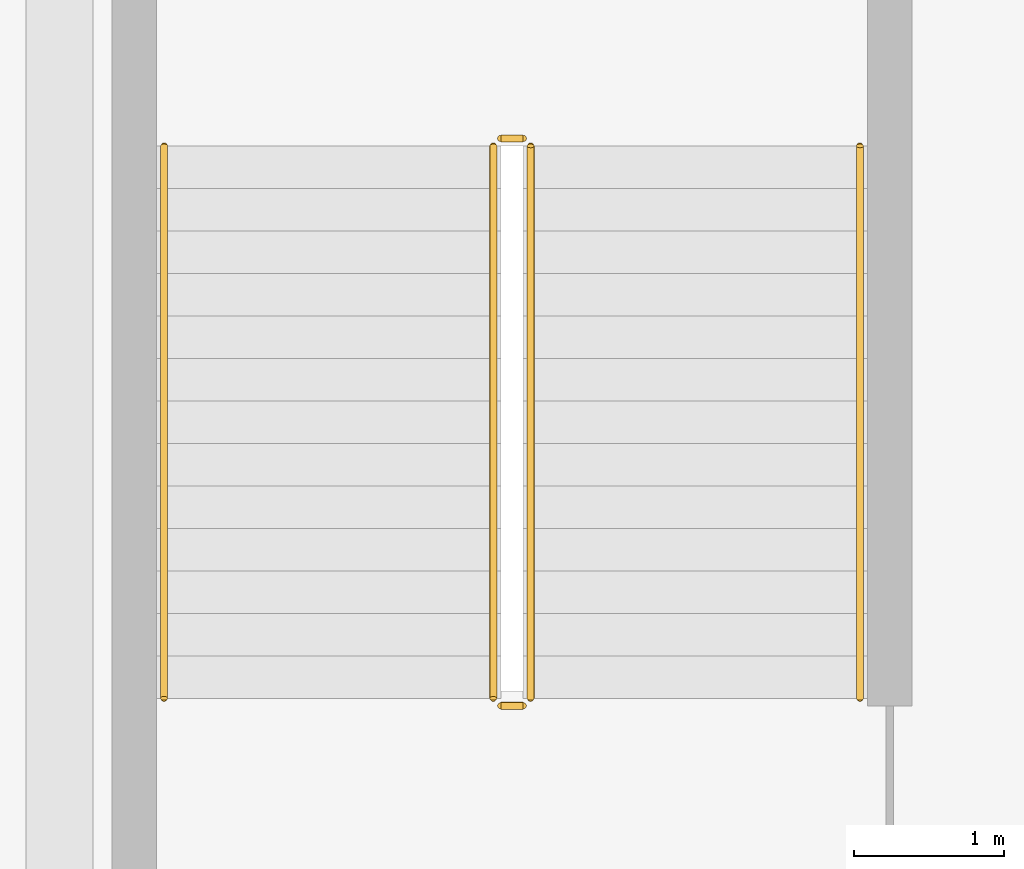
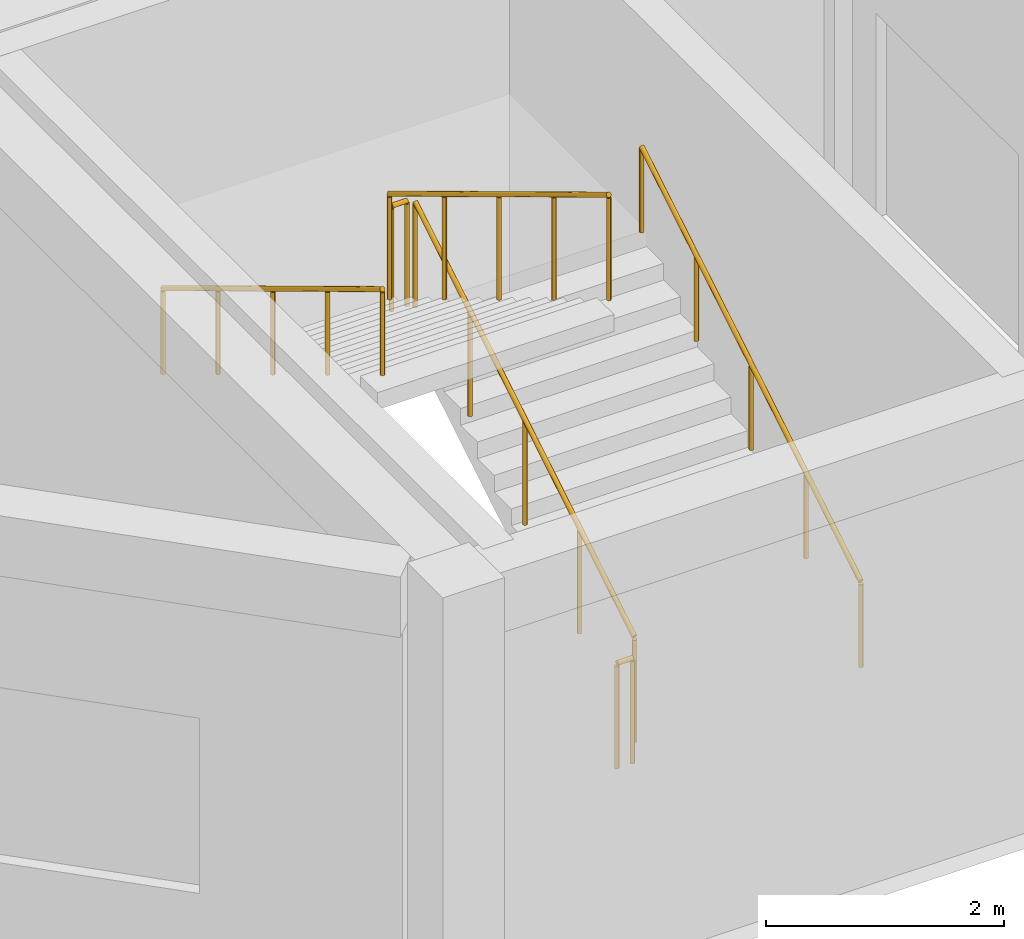
# One storey, part 22 of 26: 6 railings.
"""IFC4 building model written with IfcOpenShell, lengths in metres."""

from ifc_helpers import new_model, si_unit, direction, frame, origin, origin_2d, place, context, subcontext, project, spatial, circle, extrude, material, type_object, element, save


model = new_model("IFC4")

# Units and contexts
model_context = context("Model", 3, precision=1e-05, world=origin(), true_north=direction((0.0, 1.0)))
body_context = subcontext(model_context, "Body", "Model", "MODEL_VIEW")
ifc_project = project(units=[si_unit("LENGTHUNIT", "METRE"), si_unit("AREAUNIT", "SQUARE_METRE"), si_unit("VOLUMEUNIT", "CUBIC_METRE"), si_unit("PLANEANGLEUNIT", "RADIAN"), si_unit("MASSUNIT", "GRAM", prefix="KILO")], contexts=[model_context])

# Site, building, storey
site_placement = place(None, origin())
site = spatial("IfcSite", under=ifc_project, at=site_placement, CompositionType="ELEMENT")
building_placement = place(site_placement, origin())
building = spatial("IfcBuilding", under=site, at=building_placement, Name="Dhurran Vertical Campus", CompositionType="ELEMENT")
storey_placement = place(building_placement, frame((0.0, 0.0, 15.60009765625)))
storey = spatial("IfcBuildingStorey", under=building, at=storey_placement, Name="L03", CompositionType="ELEMENT", Elevation=15.60009765625)

# Railings
ifc_material_1 = material(Name="Steel S355J2H", Category="steel")
railing_type_1 = type_object("IfcRailingType", Name="hl-stair guard 1100", PredefinedType="GUARDRAIL", material=ifc_material_1)
railing_1_placement = place(storey_placement, frame((73.64990234375, -24.550048828125, 0.17138671875)))
element("IfcRailing", 1, at=railing_1_placement, inside=storey, type_object=railing_type_1, Name="L03 HST1 stair guard 1", PredefinedType="GUARDRAIL", context=body_context, shape_type="SweptSolid", body=[
    extrude(circle(Radius=0.02392578125, at=origin_2d()), frame((0.0, 0.0, 1.076171875), z_axis=(0.0, 0.85613627591, 0.516750110858), x_axis=(-1.0, 0.0, 0.0)), (0.0, 0.0, 1.0), 4.3125),
    extrude(circle(Radius=0.02099609375, at=origin_2d()), origin(), (0.0, 0.0, 1.0), 1.052001953125),
    extrude(circle(Radius=0.02099609375, at=origin_2d()), frame((0.0, 0.923095703125, 0.55712890625)), (0.0, 0.0, 1.0), 1.052001953125),
    extrude(circle(Radius=0.02099609375, at=origin_2d()), frame((0.0, 1.84619140625, 1.1142578125)), (0.0, 0.0, 1.0), 1.052001953125),
    extrude(circle(Radius=0.02099609375, at=origin_2d()), frame((0.0, 2.76904296875, 1.67138671875)), (0.0, 0.0, 1.0), 1.052001953125),
    extrude(circle(Radius=0.02099609375, at=origin_2d()), frame((0.0, 3.692138671875, 2.228515625)), (0.0, 0.0, 1.0), 1.052001953125),
])
railing_2_placement = place(storey_placement, frame((73.60009765625, -20.80810546875, 2.39990234375)))
element("IfcRailing", 2, at=railing_2_placement, inside=storey, type_object=railing_type_1, Name="L03 HST1 stair guard 2", PredefinedType="GUARDRAIL", context=body_context, shape_type="SweptSolid", body=[
    extrude(circle(Radius=0.02392578125, at=origin_2d()), frame((0.0, 0.0, 1.076171875), z_axis=(-1.0, 0.0, 0.0), x_axis=(0.0, -1.0, 0.0)), (0.0, 0.0, 1.0), 0.150146484375),
    extrude(circle(Radius=0.02099609375, at=origin_2d()), origin(), (0.0, 0.0, 1.0), 1.052001953125),
    extrude(circle(Radius=0.02099609375, at=origin_2d()), frame((-0.150146484375, 0.0, 0.0)), (0.0, 0.0, 1.0), 1.052001953125),
])
railing_3_placement = place(storey_placement, frame((73.39990234375, -20.85791015625, 2.5712890625)))
element("IfcRailing", 3, at=railing_3_placement, inside=storey, type_object=railing_type_1, Name="L03 HST1 stair guard 3", PredefinedType="GUARDRAIL", context=body_context, shape_type="SweptSolid", body=[
    extrude(circle(Radius=0.02392578125, at=origin_2d()), frame((0.0, 0.0, 1.076171875), z_axis=(0.0, -0.85613627591, 0.516750110858), x_axis=(1.0, 0.0, 0.0)), (0.0, 0.0, 1.0), 4.3125),
    extrude(circle(Radius=0.02099609375, at=origin_2d()), origin(), (0.0, 0.0, 1.0), 1.052001953125),
    extrude(circle(Radius=0.02099609375, at=origin_2d()), frame((0.0, -0.923095703125, 0.55712890625)), (0.0, 0.0, 1.0), 1.052001953125),
    extrude(circle(Radius=0.02099609375, at=origin_2d()), frame((0.0, -1.84619140625, 1.1142578125)), (0.0, 0.0, 1.0), 1.052001953125),
    extrude(circle(Radius=0.02099609375, at=origin_2d()), frame((0.0, -2.76904296875, 1.67138671875)), (0.0, 0.0, 1.0), 1.052001953125),
    extrude(circle(Radius=0.02099609375, at=origin_2d()), frame((0.0, -3.692138671875, 2.228515625)), (0.0, 0.0, 1.0), 1.052001953125),
])
railing_4_placement = place(storey_placement, frame((73.60009765625, -24.60009765625, 0.0)))
element("IfcRailing", 4, at=railing_4_placement, inside=storey, type_object=railing_type_1, Name="L03 HST1 stair guard 4", PredefinedType="GUARDRAIL", context=body_context, shape_type="SweptSolid", body=[
    extrude(circle(Radius=0.02392578125, at=origin_2d()), frame((0.0, 0.0, 1.076171875), z_axis=(-1.0, 0.0, 0.0), x_axis=(0.0, -1.0, 0.0)), (0.0, 0.0, 1.0), 0.150146484375),
    extrude(circle(Radius=0.02099609375, at=origin_2d()), origin(), (0.0, 0.0, 1.0), 1.052001953125),
    extrude(circle(Radius=0.02099609375, at=origin_2d()), frame((-0.150146484375, 0.0, 0.0)), (0.0, 0.0, 1.0), 1.052001953125),
])
ifc_material_2 = material(Name="Steel S355J2H", Category="steel")
railing_type_2 = type_object("IfcRailingType", Name="hl-stair handrail", PredefinedType="HANDRAIL", material=ifc_material_2)
railing_5_placement = place(storey_placement, frame((75.85009765625, -24.550048828125, 0.17138671875)))
element("IfcRailing", 5, at=railing_5_placement, inside=storey, type_object=railing_type_2, Name="L03 HST1 stair handrail 1", PredefinedType="HANDRAIL", context=body_context, shape_type="SweptSolid", body=[
    extrude(circle(Radius=0.02392578125, at=origin_2d()), frame((0.0, 0.0, 0.8759765625), z_axis=(0.0, 0.85613627591, 0.516750110858), x_axis=(-1.0, 0.0, 0.0)), (0.0, 0.0, 1.0), 4.3125),
    extrude(circle(Radius=0.02099609375, at=origin_2d()), origin(), (0.0, 0.0, 1.0), 0.851806640625),
    extrude(circle(Radius=0.02099609375, at=origin_2d()), frame((0.0, 0.923095703125, 0.55712890625)), (0.0, 0.0, 1.0), 0.851806640625),
    extrude(circle(Radius=0.02099609375, at=origin_2d()), frame((0.0, 1.84619140625, 1.1142578125)), (0.0, 0.0, 1.0), 0.851806640625),
    extrude(circle(Radius=0.02099609375, at=origin_2d()), frame((0.0, 2.76904296875, 1.67138671875)), (0.0, 0.0, 1.0), 0.851806640625),
    extrude(circle(Radius=0.02099609375, at=origin_2d()), frame((0.0, 3.692138671875, 2.228515625)), (0.0, 0.0, 1.0), 0.851806640625),
])
railing_6_placement = place(storey_placement, frame((71.199951171875, -20.85791015625, 2.5712890625)))
element("IfcRailing", 6, at=railing_6_placement, inside=storey, type_object=railing_type_2, Name="L03 HST1 stair handrail 2", PredefinedType="HANDRAIL", context=body_context, shape_type="SweptSolid", body=[
    extrude(circle(Radius=0.02392578125, at=origin_2d()), frame((0.0, 0.0, 0.8759765625), z_axis=(0.0, -0.85613627591, 0.516750110858), x_axis=(1.0, 0.0, 0.0)), (0.0, 0.0, 1.0), 4.3125),
    extrude(circle(Radius=0.02099609375, at=origin_2d()), origin(), (0.0, 0.0, 1.0), 0.851806640625),
    extrude(circle(Radius=0.02099609375, at=origin_2d()), frame((0.0, -0.923095703125, 0.55712890625)), (0.0, 0.0, 1.0), 0.851806640625),
    extrude(circle(Radius=0.02099609375, at=origin_2d()), frame((0.0, -1.84619140625, 1.1142578125)), (0.0, 0.0, 1.0), 0.851806640625),
    extrude(circle(Radius=0.02099609375, at=origin_2d()), frame((0.0, -2.76904296875, 1.67138671875)), (0.0, 0.0, 1.0), 0.851806640625),
    extrude(circle(Radius=0.02099609375, at=origin_2d()), frame((0.0, -3.692138671875, 2.228515625)), (0.0, 0.0, 1.0), 0.851806640625),
])

save(model, "model.ifc")
